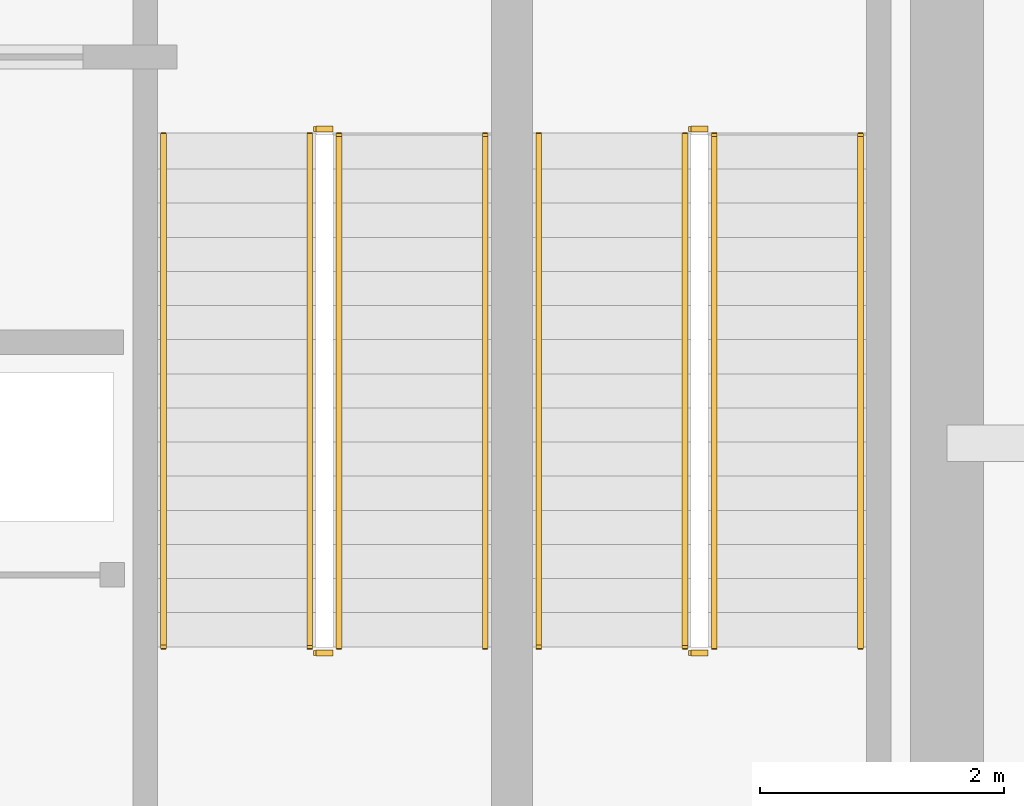
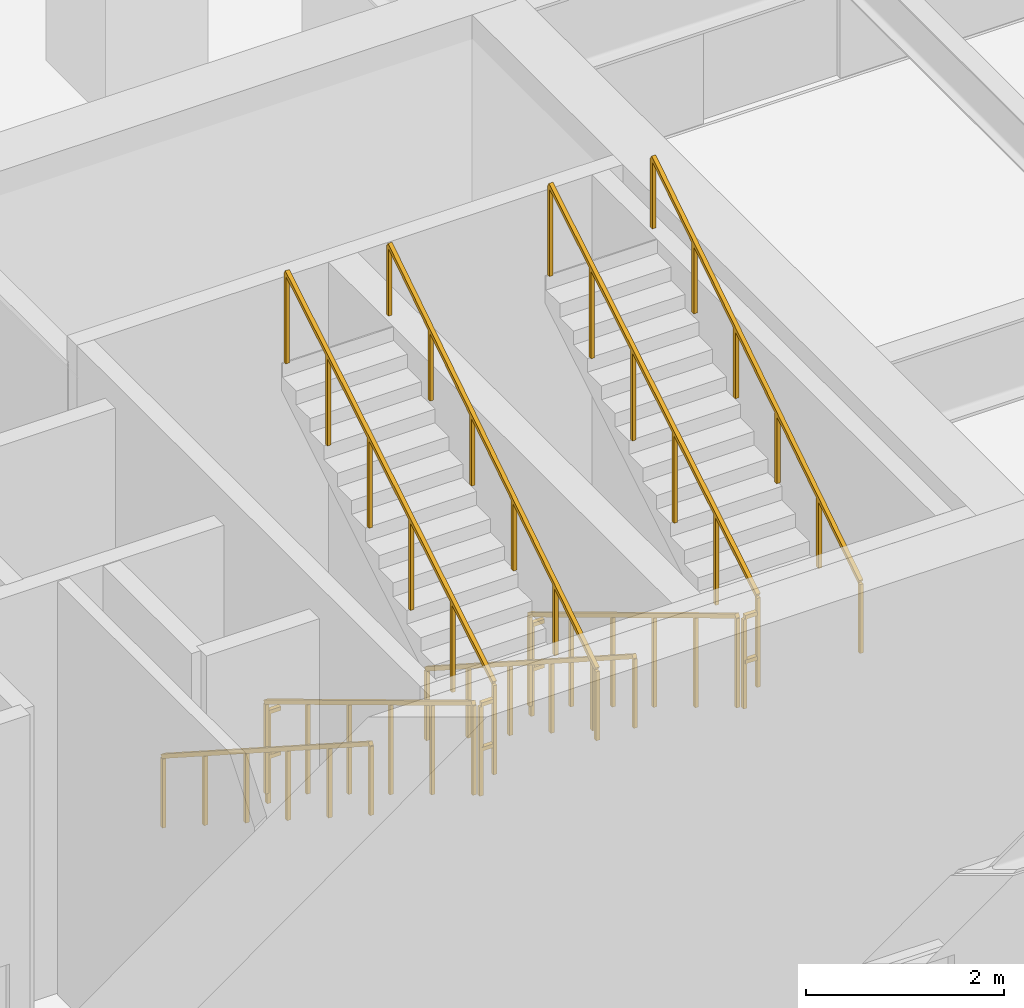
# One storey, part 16 of 19: 12 railings.
"""IFC4 building model written with IfcOpenShell, lengths in metres."""

from ifc_helpers import new_model, si_unit, derived_unit, direction, frame, origin, origin_2d, place, context, subcontext, project, spatial, rectangle, extrude, material, type_object, element, save


model = new_model("IFC4")

# Units and contexts
model_context = context("Model", 3, precision=1e-05, world=origin(), true_north=direction((0.0, 1.0)))
body_context = subcontext(model_context, "Body", "Model", "MODEL_VIEW")
ifc_project = project(units=[si_unit("LENGTHUNIT", "METRE"), si_unit("AREAUNIT", "SQUARE_METRE"), si_unit("VOLUMEUNIT", "CUBIC_METRE"), si_unit("PLANEANGLEUNIT", "RADIAN"), si_unit("MASSUNIT", "GRAM", prefix="KILO"), si_unit("THERMODYNAMICTEMPERATUREUNIT", "KELVIN"), si_unit("POWERUNIT", "WATT"), derived_unit("THERMALTRANSMITTANCEUNIT", [(si_unit("POWERUNIT", "WATT"), 1), (si_unit("AREAUNIT", "SQUARE_METRE"), -1), (si_unit("THERMODYNAMICTEMPERATUREUNIT", "KELVIN"), -1)])], contexts=[model_context])

# Site, building, storey
site_placement = place(None, origin())
site = spatial("IfcSite", under=ifc_project, at=site_placement, CompositionType="ELEMENT")
building_placement = place(site_placement, origin())
building = spatial("IfcBuilding", under=site, at=building_placement, Name="Zahravan Archway Hotel and Residences", CompositionType="ELEMENT")
storey_placement = place(building_placement, frame((0.0, 0.0, 21.60009765625)))
storey = spatial("IfcBuildingStorey", under=building, at=storey_placement, Name="L04", CompositionType="ELEMENT", Elevation=21.60009765625)

# Railings
ifc_material_1 = material(Name="Painted Tubular Steel", Category="steel")
railing_type_1 = type_object("IfcRailingType", Name="RL-STG-1150", PredefinedType="GUARDRAIL", material=ifc_material_1)
railing_1_placement = place(storey_placement, frame((44.570068359375, 9.72998046875, 0.168701171875)))
element("IfcRailing", 1, at=railing_1_placement, inside=storey, type_object=railing_type_1, Name="L04 ST-A2 stair guard 1", PredefinedType="GUARDRAIL", context=body_context, shape_type="SweptSolid", body=[
    extrude(rectangle(XDim=0.048095703125, YDim=0.048095703125, at=origin_2d()), frame((0.0, 0.0, 1.1259765625), z_axis=(0.0, -0.856476492594, 0.516186030065), x_axis=(1.0, 0.0, 0.0)), (0.0, 0.0, 1.0), 4.90380859375),
    extrude(rectangle(XDim=0.0419921875, YDim=0.0419921875, at=origin_2d()), origin(), (0.0, 0.0, 1.0), 1.101806640625),
    extrude(rectangle(XDim=0.0419921875, YDim=0.0419921875, at=origin_2d()), frame((0.0, -0.840087890625, 0.50634765625)), (0.0, 0.0, 1.0), 1.101806640625),
    extrude(rectangle(XDim=0.0419921875, YDim=0.0419921875, at=origin_2d()), frame((0.0, -1.679931640625, 1.012451171875)), (0.0, 0.0, 1.0), 1.101806640625),
    extrude(rectangle(XDim=0.0419921875, YDim=0.0419921875, at=origin_2d()), frame((0.0, -2.52001953125, 1.518798828125)), (0.0, 0.0, 1.0), 1.101806640625),
    extrude(rectangle(XDim=0.0419921875, YDim=0.0419921875, at=origin_2d()), frame((0.0, -3.35986328125, 2.02490234375)), (0.0, 0.0, 1.0), 1.101806640625),
    extrude(rectangle(XDim=0.0419921875, YDim=0.0419921875, at=origin_2d()), frame((0.0, -4.199951171875, 2.53125)), (0.0, 0.0, 1.0), 1.101806640625),
])
railing_2_placement = place(storey_placement, frame((44.6201171875, 5.47998046875, 2.699951171875)))
element("IfcRailing", 2, at=railing_2_placement, inside=storey, type_object=railing_type_1, Name="L04 ST-A2 stair guard 2", PredefinedType="GUARDRAIL", context=body_context, shape_type="SweptSolid", body=[
    extrude(rectangle(XDim=0.048095703125, YDim=0.048095703125, at=origin_2d()), frame((0.0, 0.0, 1.1259765625), z_axis=(1.0, 0.0, 0.0), x_axis=(0.0, 1.0, 0.0)), (0.0, 0.0, 1.0), 0.139892578125),
    extrude(rectangle(XDim=0.048095703125, YDim=0.048095703125, at=origin_2d()), frame((0.0, 0.0, 0.574951171875), z_axis=(1.0, 0.0, 0.0), x_axis=(0.0, 1.0, 0.0)), (0.0, 0.0, 1.0), 0.139892578125),
    extrude(rectangle(XDim=0.0419921875, YDim=0.0419921875, at=origin_2d()), origin(), (0.0, 0.0, 1.0), 1.101806640625),
])
railing_3_placement = place(storey_placement, frame((44.81005859375, 5.530029296875, 2.86865234375)))
element("IfcRailing", 3, at=railing_3_placement, inside=storey, type_object=railing_type_1, Name="L04 ST-A2 stair guard 3", PredefinedType="GUARDRAIL", context=body_context, shape_type="SweptSolid", body=[
    extrude(rectangle(XDim=0.048095703125, YDim=0.048095703125, at=origin_2d()), frame((0.0, 0.0, 1.1259765625), z_axis=(0.0, 0.856476492594, 0.516186030065), x_axis=(-1.0, 0.0, 0.0)), (0.0, 0.0, 1.0), 4.90380859375),
    extrude(rectangle(XDim=0.0419921875, YDim=0.0419921875, at=origin_2d()), origin(), (0.0, 0.0, 1.0), 1.101806640625),
    extrude(rectangle(XDim=0.0419921875, YDim=0.0419921875, at=origin_2d()), frame((0.0, 0.840087890625, 0.50634765625)), (0.0, 0.0, 1.0), 1.101806640625),
    extrude(rectangle(XDim=0.0419921875, YDim=0.0419921875, at=origin_2d()), frame((0.0, 1.679931640625, 1.012451171875)), (0.0, 0.0, 1.0), 1.101806640625),
    extrude(rectangle(XDim=0.0419921875, YDim=0.0419921875, at=origin_2d()), frame((0.0, 2.52001953125, 1.518798828125)), (0.0, 0.0, 1.0), 1.101806640625),
    extrude(rectangle(XDim=0.0419921875, YDim=0.0419921875, at=origin_2d()), frame((0.0, 3.35986328125, 2.02490234375)), (0.0, 0.0, 1.0), 1.101806640625),
    extrude(rectangle(XDim=0.0419921875, YDim=0.0419921875, at=origin_2d()), frame((0.0, 4.199951171875, 2.53125)), (0.0, 0.0, 1.0), 1.101806640625),
])
railing_4_placement = place(storey_placement, frame((44.6201171875, 9.780029296875, 0.0)))
element("IfcRailing", 4, at=railing_4_placement, inside=storey, type_object=railing_type_1, Name="L04 ST-A2 stair guard 4", PredefinedType="GUARDRAIL", context=body_context, shape_type="SweptSolid", body=[
    extrude(rectangle(XDim=0.048095703125, YDim=0.048095703125, at=origin_2d()), frame((0.0, 0.0, 1.1259765625), z_axis=(1.0, 0.0, 0.0), x_axis=(0.0, 1.0, 0.0)), (0.0, 0.0, 1.0), 0.139892578125),
    extrude(rectangle(XDim=0.048095703125, YDim=0.048095703125, at=origin_2d()), frame((0.0, 0.0, 0.574951171875), z_axis=(1.0, 0.0, 0.0), x_axis=(0.0, 1.0, 0.0)), (0.0, 0.0, 1.0), 0.139892578125),
    extrude(rectangle(XDim=0.0419921875, YDim=0.0419921875, at=origin_2d()), origin(), (0.0, 0.0, 1.0), 1.101806640625),
])
railing_5_placement = place(storey_placement, frame((47.64990234375, 9.72998046875, 0.168701171875)))
element("IfcRailing", 5, at=railing_5_placement, inside=storey, type_object=railing_type_1, Name="L04 ST-A3 stair guard 1", PredefinedType="GUARDRAIL", context=body_context, shape_type="SweptSolid", body=[
    extrude(rectangle(XDim=0.048095703125, YDim=0.048095703125, at=origin_2d()), frame((0.0, 0.0, 1.1259765625), z_axis=(0.0, -0.856476492594, 0.516186030065), x_axis=(1.0, 0.0, 0.0)), (0.0, 0.0, 1.0), 4.90380859375),
    extrude(rectangle(XDim=0.0419921875, YDim=0.0419921875, at=origin_2d()), origin(), (0.0, 0.0, 1.0), 1.101806640625),
    extrude(rectangle(XDim=0.0419921875, YDim=0.0419921875, at=origin_2d()), frame((0.0, -0.840087890625, 0.50634765625)), (0.0, 0.0, 1.0), 1.101806640625),
    extrude(rectangle(XDim=0.0419921875, YDim=0.0419921875, at=origin_2d()), frame((0.0, -1.679931640625, 1.012451171875)), (0.0, 0.0, 1.0), 1.101806640625),
    extrude(rectangle(XDim=0.0419921875, YDim=0.0419921875, at=origin_2d()), frame((0.0, -2.52001953125, 1.518798828125)), (0.0, 0.0, 1.0), 1.101806640625),
    extrude(rectangle(XDim=0.0419921875, YDim=0.0419921875, at=origin_2d()), frame((0.0, -3.35986328125, 2.02490234375)), (0.0, 0.0, 1.0), 1.101806640625),
    extrude(rectangle(XDim=0.0419921875, YDim=0.0419921875, at=origin_2d()), frame((0.0, -4.199951171875, 2.53125)), (0.0, 0.0, 1.0), 1.101806640625),
])
railing_6_placement = place(storey_placement, frame((47.699951171875, 5.47998046875, 2.699951171875)))
element("IfcRailing", 6, at=railing_6_placement, inside=storey, type_object=railing_type_1, Name="L04 ST-A3 stair guard 2", PredefinedType="GUARDRAIL", context=body_context, shape_type="SweptSolid", body=[
    extrude(rectangle(XDim=0.048095703125, YDim=0.048095703125, at=origin_2d()), frame((0.0, 0.0, 1.1259765625), z_axis=(1.0, 0.0, 0.0), x_axis=(0.0, 1.0, 0.0)), (0.0, 0.0, 1.0), 0.14013671875),
    extrude(rectangle(XDim=0.048095703125, YDim=0.048095703125, at=origin_2d()), frame((0.0, 0.0, 0.574951171875), z_axis=(1.0, 0.0, 0.0), x_axis=(0.0, 1.0, 0.0)), (0.0, 0.0, 1.0), 0.14013671875),
    extrude(rectangle(XDim=0.0419921875, YDim=0.0419921875, at=origin_2d()), origin(), (0.0, 0.0, 1.0), 1.101806640625),
])
railing_7_placement = place(storey_placement, frame((47.889892578125, 5.530029296875, 2.86865234375)))
element("IfcRailing", 7, at=railing_7_placement, inside=storey, type_object=railing_type_1, Name="L04 ST-A3 stair guard 3", PredefinedType="GUARDRAIL", context=body_context, shape_type="SweptSolid", body=[
    extrude(rectangle(XDim=0.048095703125, YDim=0.048095703125, at=origin_2d()), frame((0.0, 0.0, 1.1259765625), z_axis=(0.0, 0.856476492594, 0.516186030065), x_axis=(-1.0, 0.0, 0.0)), (0.0, 0.0, 1.0), 4.90380859375),
    extrude(rectangle(XDim=0.0419921875, YDim=0.0419921875, at=origin_2d()), origin(), (0.0, 0.0, 1.0), 1.101806640625),
    extrude(rectangle(XDim=0.0419921875, YDim=0.0419921875, at=origin_2d()), frame((0.0, 0.840087890625, 0.50634765625)), (0.0, 0.0, 1.0), 1.101806640625),
    extrude(rectangle(XDim=0.0419921875, YDim=0.0419921875, at=origin_2d()), frame((0.0, 1.679931640625, 1.012451171875)), (0.0, 0.0, 1.0), 1.101806640625),
    extrude(rectangle(XDim=0.0419921875, YDim=0.0419921875, at=origin_2d()), frame((0.0, 2.52001953125, 1.518798828125)), (0.0, 0.0, 1.0), 1.101806640625),
    extrude(rectangle(XDim=0.0419921875, YDim=0.0419921875, at=origin_2d()), frame((0.0, 3.35986328125, 2.02490234375)), (0.0, 0.0, 1.0), 1.101806640625),
    extrude(rectangle(XDim=0.0419921875, YDim=0.0419921875, at=origin_2d()), frame((0.0, 4.199951171875, 2.53125)), (0.0, 0.0, 1.0), 1.101806640625),
])
railing_8_placement = place(storey_placement, frame((47.699951171875, 9.780029296875, 0.0)))
element("IfcRailing", 8, at=railing_8_placement, inside=storey, type_object=railing_type_1, Name="L04 ST-A3 stair guard 4", PredefinedType="GUARDRAIL", context=body_context, shape_type="SweptSolid", body=[
    extrude(rectangle(XDim=0.048095703125, YDim=0.048095703125, at=origin_2d()), frame((0.0, 0.0, 1.1259765625), z_axis=(1.0, 0.0, 0.0), x_axis=(0.0, 1.0, 0.0)), (0.0, 0.0, 1.0), 0.14013671875),
    extrude(rectangle(XDim=0.048095703125, YDim=0.048095703125, at=origin_2d()), frame((0.0, 0.0, 0.574951171875), z_axis=(1.0, 0.0, 0.0), x_axis=(0.0, 1.0, 0.0)), (0.0, 0.0, 1.0), 0.14013671875),
    extrude(rectangle(XDim=0.0419921875, YDim=0.0419921875, at=origin_2d()), origin(), (0.0, 0.0, 1.0), 1.101806640625),
])
ifc_material_2 = material(Name="Brushed Stainless Steel", Category="steel")
railing_type_2 = type_object("IfcRailingType", Name="RL-STH-900", PredefinedType="HANDRAIL", material=ifc_material_2)
railing_9_placement = place(storey_placement, frame((43.3701171875, 9.72998046875, 0.168701171875)))
element("IfcRailing", 9, at=railing_9_placement, inside=storey, type_object=railing_type_2, Name="L04 ST-A2 stair handrail 1", PredefinedType="HANDRAIL", context=body_context, shape_type="SweptSolid", body=[
    extrude(rectangle(XDim=0.048095703125, YDim=0.048095703125, at=origin_2d()), frame((0.0, 0.0, 0.8759765625), z_axis=(0.0, -0.841180064094, 0.540755119968), x_axis=(1.0, 0.0, 0.0)), (0.0, 0.0, 1.0), 4.992919921875),
    extrude(rectangle(XDim=0.0419921875, YDim=0.0419921875, at=origin_2d()), origin(), (0.0, 0.0, 1.0), 0.851806640625),
    extrude(rectangle(XDim=0.0419921875, YDim=0.0419921875, at=origin_2d()), frame((0.0, -0.840087890625, 0.5400390625)), (0.0, 0.0, 1.0), 0.851806640625),
    extrude(rectangle(XDim=0.0419921875, YDim=0.0419921875, at=origin_2d()), frame((0.0, -1.679931640625, 1.080078125)), (0.0, 0.0, 1.0), 0.851806640625),
    extrude(rectangle(XDim=0.0419921875, YDim=0.0419921875, at=origin_2d()), frame((0.0, -2.52001953125, 1.619873046875)), (0.0, 0.0, 1.0), 0.851806640625),
    extrude(rectangle(XDim=0.0419921875, YDim=0.0419921875, at=origin_2d()), frame((0.0, -3.35986328125, 2.159912109375)), (0.0, 0.0, 1.0), 0.851806640625),
    extrude(rectangle(XDim=0.0419921875, YDim=0.0419921875, at=origin_2d()), frame((0.0, -4.199951171875, 2.699951171875)), (0.0, 0.0, 1.0), 0.851806640625),
])
railing_10_placement = place(storey_placement, frame((46.010009765625, 5.530029296875, 2.86865234375)))
element("IfcRailing", 10, at=railing_10_placement, inside=storey, type_object=railing_type_2, Name="L04 ST-A2 stair handrail 2", PredefinedType="HANDRAIL", context=body_context, shape_type="SweptSolid", body=[
    extrude(rectangle(XDim=0.048095703125, YDim=0.048095703125, at=origin_2d()), frame((0.0, 0.0, 0.8759765625), z_axis=(0.0, 0.841180064094, 0.540755119968), x_axis=(-1.0, 0.0, 0.0)), (0.0, 0.0, 1.0), 4.992919921875),
    extrude(rectangle(XDim=0.0419921875, YDim=0.0419921875, at=origin_2d()), origin(), (0.0, 0.0, 1.0), 0.851806640625),
    extrude(rectangle(XDim=0.0419921875, YDim=0.0419921875, at=origin_2d()), frame((0.0, 0.840087890625, 0.5400390625)), (0.0, 0.0, 1.0), 0.851806640625),
    extrude(rectangle(XDim=0.0419921875, YDim=0.0419921875, at=origin_2d()), frame((0.0, 1.679931640625, 1.080078125)), (0.0, 0.0, 1.0), 0.851806640625),
    extrude(rectangle(XDim=0.0419921875, YDim=0.0419921875, at=origin_2d()), frame((0.0, 2.52001953125, 1.619873046875)), (0.0, 0.0, 1.0), 0.851806640625),
    extrude(rectangle(XDim=0.0419921875, YDim=0.0419921875, at=origin_2d()), frame((0.0, 3.35986328125, 2.159912109375)), (0.0, 0.0, 1.0), 0.851806640625),
    extrude(rectangle(XDim=0.0419921875, YDim=0.0419921875, at=origin_2d()), frame((0.0, 4.199951171875, 2.699951171875)), (0.0, 0.0, 1.0), 0.851806640625),
])
railing_11_placement = place(storey_placement, frame((46.449951171875, 9.72998046875, 0.168701171875)))
element("IfcRailing", 11, at=railing_11_placement, inside=storey, type_object=railing_type_2, Name="L04 ST-A3 stair handrail 1", PredefinedType="HANDRAIL", context=body_context, shape_type="SweptSolid", body=[
    extrude(rectangle(XDim=0.048095703125, YDim=0.048095703125, at=origin_2d()), frame((0.0, 0.0, 0.8759765625), z_axis=(0.0, -0.841180064094, 0.540755119968), x_axis=(1.0, 0.0, 0.0)), (0.0, 0.0, 1.0), 4.992919921875),
    extrude(rectangle(XDim=0.0419921875, YDim=0.0419921875, at=origin_2d()), origin(), (0.0, 0.0, 1.0), 0.851806640625),
    extrude(rectangle(XDim=0.0419921875, YDim=0.0419921875, at=origin_2d()), frame((0.0, -0.840087890625, 0.5400390625)), (0.0, 0.0, 1.0), 0.851806640625),
    extrude(rectangle(XDim=0.0419921875, YDim=0.0419921875, at=origin_2d()), frame((0.0, -1.679931640625, 1.080078125)), (0.0, 0.0, 1.0), 0.851806640625),
    extrude(rectangle(XDim=0.0419921875, YDim=0.0419921875, at=origin_2d()), frame((0.0, -2.52001953125, 1.619873046875)), (0.0, 0.0, 1.0), 0.851806640625),
    extrude(rectangle(XDim=0.0419921875, YDim=0.0419921875, at=origin_2d()), frame((0.0, -3.35986328125, 2.159912109375)), (0.0, 0.0, 1.0), 0.851806640625),
    extrude(rectangle(XDim=0.0419921875, YDim=0.0419921875, at=origin_2d()), frame((0.0, -4.199951171875, 2.699951171875)), (0.0, 0.0, 1.0), 0.851806640625),
])
railing_12_placement = place(storey_placement, frame((49.090087890625, 5.530029296875, 2.86865234375)))
element("IfcRailing", 12, at=railing_12_placement, inside=storey, type_object=railing_type_2, Name="L04 ST-A3 stair handrail 2", PredefinedType="HANDRAIL", context=body_context, shape_type="SweptSolid", body=[
    extrude(rectangle(XDim=0.048095703125, YDim=0.048095703125, at=origin_2d()), frame((0.0, 0.0, 0.8759765625), z_axis=(0.0, 0.841180064094, 0.540755119968), x_axis=(-1.0, 0.0, 0.0)), (0.0, 0.0, 1.0), 4.992919921875),
    extrude(rectangle(XDim=0.0419921875, YDim=0.0419921875, at=origin_2d()), origin(), (0.0, 0.0, 1.0), 0.851806640625),
    extrude(rectangle(XDim=0.0419921875, YDim=0.0419921875, at=origin_2d()), frame((0.0, 0.840087890625, 0.5400390625)), (0.0, 0.0, 1.0), 0.851806640625),
    extrude(rectangle(XDim=0.0419921875, YDim=0.0419921875, at=origin_2d()), frame((0.0, 1.679931640625, 1.080078125)), (0.0, 0.0, 1.0), 0.851806640625),
    extrude(rectangle(XDim=0.0419921875, YDim=0.0419921875, at=origin_2d()), frame((0.0, 2.52001953125, 1.619873046875)), (0.0, 0.0, 1.0), 0.851806640625),
    extrude(rectangle(XDim=0.0419921875, YDim=0.0419921875, at=origin_2d()), frame((0.0, 3.35986328125, 2.159912109375)), (0.0, 0.0, 1.0), 0.851806640625),
    extrude(rectangle(XDim=0.0419921875, YDim=0.0419921875, at=origin_2d()), frame((0.0, 4.199951171875, 2.699951171875)), (0.0, 0.0, 1.0), 0.851806640625),
])

save(model, "model.ifc")
